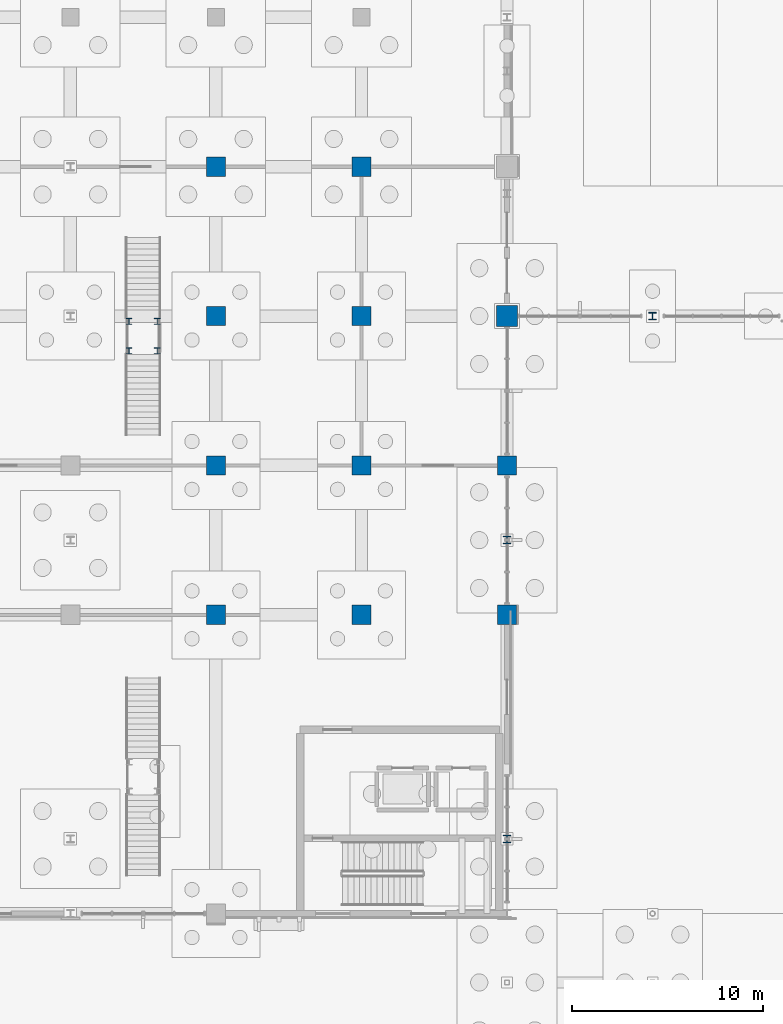
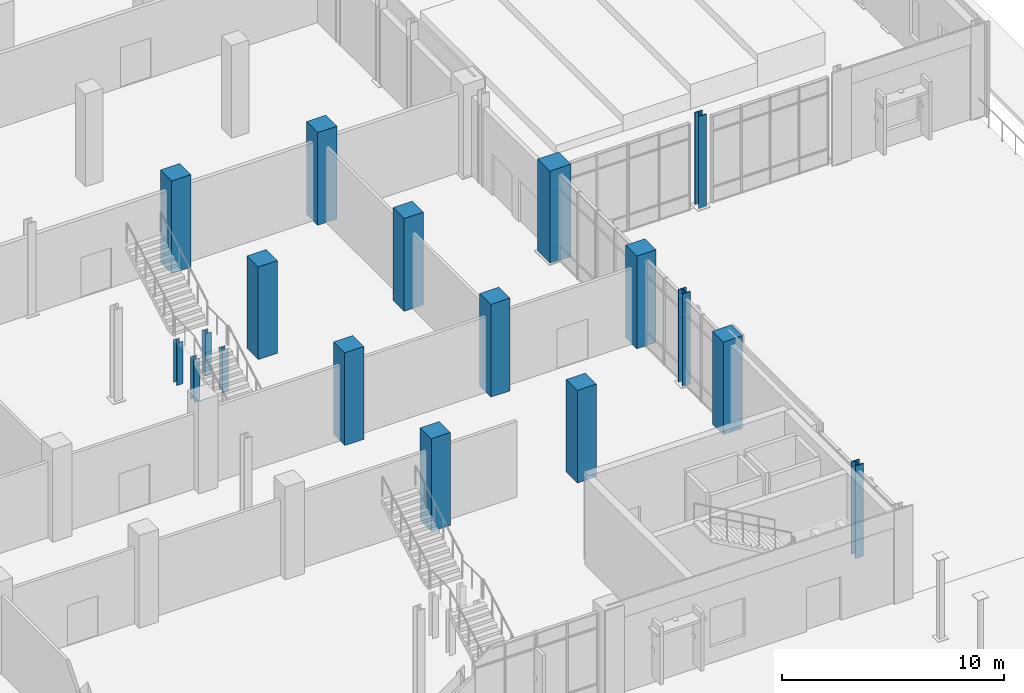
# One storey, part 30 of 94: 18 columns.
"""IFC4 building model written with IfcOpenShell, lengths in metres."""

from ifc_helpers import new_model, si_unit, direction, frame, origin, origin_2d, place, context, subcontext, project, spatial, rectangle, i_section, extrude, material, material_profile, profile_set, type_object, element, save


model = new_model("IFC4")

# Units and contexts
model_context = context("Model", 3, precision=1e-05, world=origin(), true_north=direction((0.0, 1.0)))
body_context = subcontext(model_context, "Body", "Model", "MODEL_VIEW")
ifc_project = project(units=[si_unit("LENGTHUNIT", "METRE"), si_unit("AREAUNIT", "SQUARE_METRE"), si_unit("VOLUMEUNIT", "CUBIC_METRE"), si_unit("PLANEANGLEUNIT", "RADIAN"), si_unit("MASSUNIT", "GRAM", prefix="KILO")], contexts=[model_context])

# Site, building, storey
site_placement = place(None, origin())
site = spatial("IfcSite", under=ifc_project, at=site_placement, CompositionType="ELEMENT")
building_placement = place(site_placement, origin())
building = spatial("IfcBuilding", under=site, at=building_placement, Name="Vervanel Yard Central Library", CompositionType="ELEMENT")
storey_placement = place(building_placement, origin())
storey = spatial("IfcBuildingStorey", under=building, at=storey_placement, Name="L00", CompositionType="ELEMENT", Elevation=0.0)

# Columns
ifc_material_1 = material(Name="Concrete C45/55", Category="concrete")
ifc_material_profile_1 = material_profile(ifc_material_1, rectangle(XDim=1.0, YDim=1.0, at=origin_2d()), Name="RC 1000x1000", Category="concrete")
ifc_profile_set_1 = profile_set([ifc_material_profile_1], Name="Concrete C45/55")
column_type_1 = type_object("IfcColumnType", Name="Concrete Column 1000x1000", PredefinedType="COLUMN", material=ifc_profile_set_1)
for number, where, z_axis, x_axis, name in (
    (1, (130.800048828125, 58.800048828125, 0.0), (0.0, 0.0, 1.0), (1.0, 0.0, 0.0), "L00 Concrete Column 1000x1000 (130.8, 58.8)"),
    (2, (130.800048828125, 66.60009765625, 0.0), (0.0, 0.0, 1.0), (1.0, 0.0, 0.0), "L00 Concrete Column 1000x1000 (130.8, 66.6)"),
    (3, (130.800048828125, 74.39990234375, 0.0), (0.0, 0.0, 1.0), (1.0, 0.0, 0.0), "L00 Concrete Column 1000x1000 (130.8, 74.4)"),
    (4, (130.800048828125, 82.199951171875, 0.0), (0.0, 0.0, 1.0), (1.0, 0.0, 0.0), "L00 Concrete Column 1000x1000 (130.8, 82.2)"),
    (5, (138.39990234375, 58.800048828125, 0.0), (0.0, 0.0, 1.0), (1.0, 0.0, 0.0), "L00 Concrete Column 1000x1000 (138.4, 58.8)"),
    (6, (138.39990234375, 66.60009765625, 0.0), (0.0, 0.0, 1.0), (1.0, 0.0, 0.0), "L00 Concrete Column 1000x1000 (138.4, 66.6)"),
    (7, (138.39990234375, 74.39990234375, 0.0), (0.0, 0.0, 1.0), (1.0, 0.0, 0.0), "L00 Concrete Column 1000x1000 (138.4, 74.4)"),
    (8, (138.39990234375, 82.199951171875, 0.0), (0.0, 0.0, 1.0), (1.0, 0.0, 0.0), "L00 Concrete Column 1000x1000 (138.4, 82.2)"),
    (9, (146.0, 58.800048828125, 0.0), (0.0, 0.0, 1.0), (1.0, 0.0, 0.0), "L00 Concrete Column 1000x1000 (146.0, 58.8)"),
    (10, (146.0, 66.60009765625, 0.0), (0.0, 0.0, 1.0), (1.0, 0.0, 0.0), "L00 Concrete Column 1000x1000 (146.0, 66.6)"),
):
    element("IfcColumn", number, at=place(storey_placement, frame(where, z_axis=z_axis, x_axis=x_axis)), inside=storey, type_object=column_type_1, Name=name, PredefinedType="COLUMN", context=body_context, shape_type="SweptSolid", body=[
        extrude(rectangle(XDim=1.0, YDim=1.0, at=origin_2d()), origin(), (0.0, 0.0, 1.0), 5.10009765625),
    ])
ifc_material_profile_2 = material_profile(ifc_material_1, rectangle(XDim=1.10009765625, YDim=1.10009765625, at=origin_2d()), Name="RC 1100x1100", Category="concrete")
ifc_profile_set_2 = profile_set([ifc_material_profile_2], Name="Concrete C45/55")
column_type_2 = type_object("IfcColumnType", Name="Fulcrum Mega-Column 1100x1100", PredefinedType="COLUMN", material=ifc_profile_set_2)
column_1_placement = place(storey_placement, frame((146.0, 74.39990234375, 0.0), z_axis=(0.0, 0.0, 1.0), x_axis=(1.0, 0.0, 0.0)))
element("IfcColumn", 11, at=column_1_placement, inside=storey, type_object=column_type_2, Name="L00 Fulcrum Mega-Column 1100x1100 (146.0, 74.4)", PredefinedType="COLUMN", context=body_context, shape_type="SweptSolid", body=[
    extrude(rectangle(XDim=1.10009765625, YDim=1.10009765625, at=origin_2d()), origin(), (0.0, 0.0, 1.0), 5.10009765625),
])
ifc_material_2 = material(Name="Steel ASTM A992 Grade 50", Category="steel")
ifc_material_profile_3 = material_profile(ifc_material_2, i_section(OverallWidth=0.307373046875, OverallDepth=0.31494140625, WebThickness=0.011962890625, FlangeThickness=0.0185546875, at=origin_2d()), Name="W12X79", Category="steel")
ifc_profile_set_3 = profile_set([ifc_material_profile_3], Name="Steel ASTM A992 Grade 50")
column_type_3 = type_object("IfcColumnType", Name="Steel Column W12X79", PredefinedType="COLUMN", material=ifc_profile_set_3)
for number, where, z_axis, x_axis, name in (
    (12, (126.260009765625, 72.580078125, 0.0), (0.0, 0.0, 1.0), (1.0, 0.0, 0.0), "L00 Feature Stair FS-ST-02 Landing Post 5"),
    (13, (127.739990234375, 72.580078125, 0.0), (0.0, 0.0, 1.0), (1.0, 0.0, 0.0), "L00 Feature Stair FS-ST-02 Landing Post 6"),
    (14, (126.260009765625, 74.1201171875, 0.0), (0.0, 0.0, 1.0), (1.0, 0.0, 0.0), "L00 Feature Stair FS-ST-02 Landing Post 7"),
    (15, (127.739990234375, 74.1201171875, 0.0), (0.0, 0.0, 1.0), (1.0, 0.0, 0.0), "L00 Feature Stair FS-ST-02 Landing Post 8"),
):
    element("IfcColumn", number, at=place(storey_placement, frame(where, z_axis=z_axis, x_axis=x_axis)), inside=storey, type_object=column_type_3, Name=name, PredefinedType="COLUMN", context=body_context, shape_type="SweptSolid", body=[
        extrude(i_section(OverallWidth=0.307373046875, OverallDepth=0.31494140625, WebThickness=0.011962890625, FlangeThickness=0.0185546875, at=origin_2d()), origin(), (0.0, 0.0, 1.0), 2.330078125),
    ])
ifc_material_profile_4 = material_profile(ifc_material_2, i_section(OverallWidth=0.396240234375, OverallDepth=0.381103515625, WebThickness=0.01904296875, FlangeThickness=0.0302734375, at=origin_2d()), Name="W14X159", Category="steel")
ifc_profile_set_4 = profile_set([ifc_material_profile_4], Name="Steel ASTM A992 Grade 50")
column_type_4 = type_object("IfcColumnType", Name="Steel Column W14X159", PredefinedType="COLUMN", material=ifc_profile_set_4)
column_2_placement = place(storey_placement, frame((153.60009765625, 74.39990234375, 0.0), z_axis=(0.0, 0.0, 1.0), x_axis=(1.0, 0.0, 0.0)))
element("IfcColumn", 16, at=column_2_placement, inside=storey, type_object=column_type_4, Name="L00 Steel Column W14X159 (153.6, 74.4)", PredefinedType="COLUMN", context=body_context, shape_type="SweptSolid", body=[
    extrude(i_section(OverallWidth=0.396240234375, OverallDepth=0.381103515625, WebThickness=0.01904296875, FlangeThickness=0.0302734375, at=origin_2d()), origin(), (0.0, 0.0, 1.0), 5.10009765625),
])
ifc_material_profile_5 = material_profile(ifc_material_2, i_section(OverallWidth=0.406494140625, OverallDepth=0.41650390625, WebThickness=0.030029296875, FlangeThickness=0.048095703125, at=origin_2d()), Name="W14X257", Category="steel")
ifc_profile_set_5 = profile_set([ifc_material_profile_5], Name="Steel ASTM A992 Grade 50")
column_type_5 = type_object("IfcColumnType", Name="Steel Fulcrum Post W14X257", PredefinedType="COLUMN", material=ifc_profile_set_5)
for number, where, z_axis, x_axis, name in (
    (17, (146.0, 47.10009765625, 0.0), (0.0, 0.0, 1.0), (1.0, 0.0, 0.0), "L00 Prow Truss S Post (146.0, 47.1)"),
    (18, (146.0, 62.699951171875, 0.0), (0.0, 0.0, 1.0), (1.0, 0.0, 0.0), "L00 Prow Truss N Post (146.0, 62.7)"),
):
    element("IfcColumn", number, at=place(storey_placement, frame(where, z_axis=z_axis, x_axis=x_axis)), inside=storey, type_object=column_type_5, Name=name, PredefinedType="COLUMN", context=body_context, shape_type="SweptSolid", body=[
        extrude(i_section(OverallWidth=0.406494140625, OverallDepth=0.41650390625, WebThickness=0.030029296875, FlangeThickness=0.048095703125, at=origin_2d()), origin(), (0.0, 0.0, 1.0), 5.10009765625),
    ])

save(model, "model.ifc")
